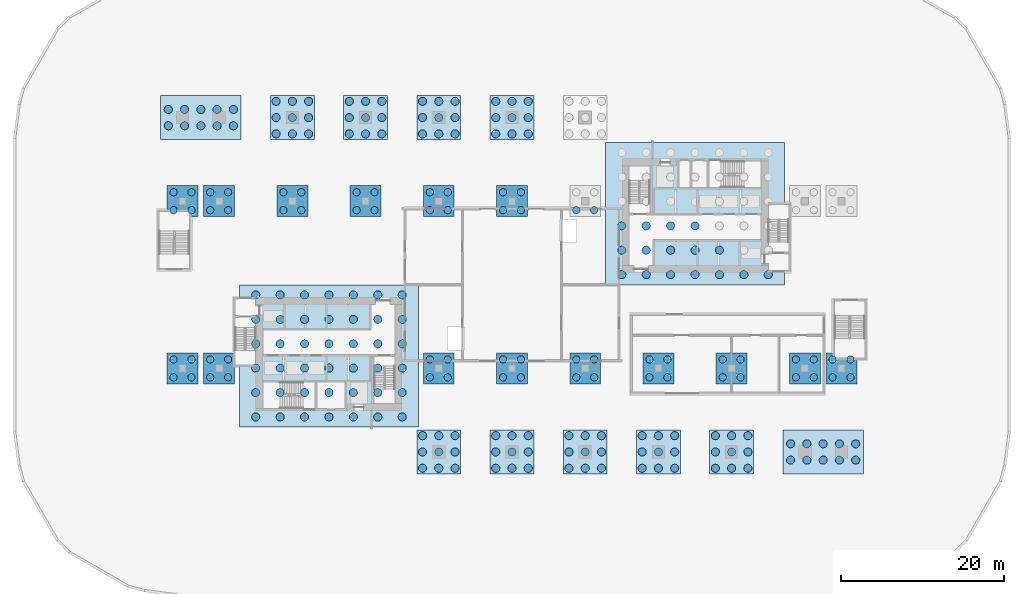
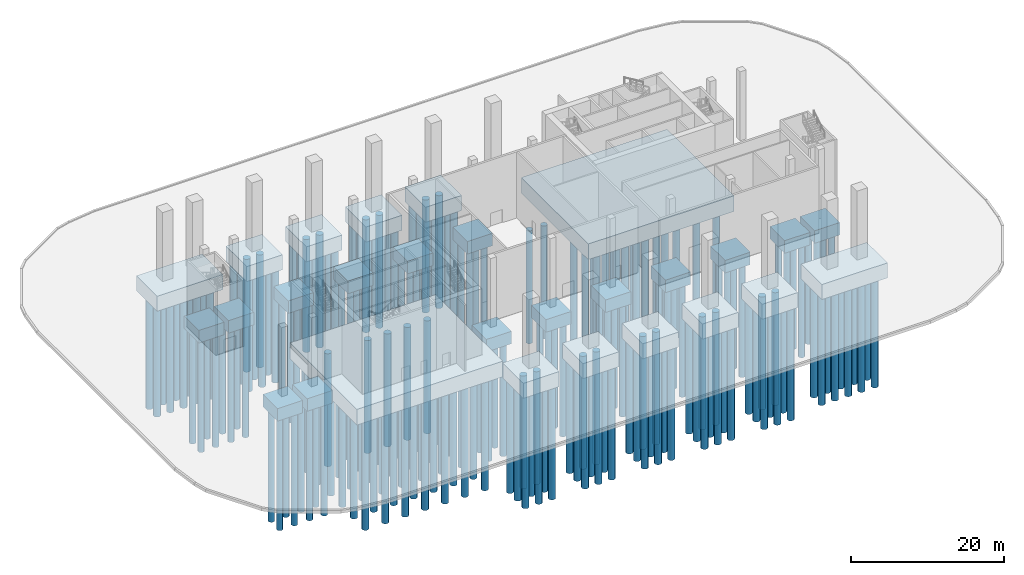
# One storey, part 1 of 26: 221 piles, 28 footings.
"""IFC4 building model written with IfcOpenShell, lengths in metres."""

from ifc_helpers import new_model, si_unit, direction, frame, origin, origin_2d, place, context, subcontext, project, spatial, rectangle, circle, extrude, material, layer, layer_set, material_profile, profile_set, type_object, element, save


model = new_model("IFC4")

# Units and contexts
model_context = context("Model", 3, precision=1e-05, world=origin(), true_north=direction((0.0, 1.0)))
body_context = subcontext(model_context, "Body", "Model", "MODEL_VIEW")
ifc_project = project(units=[si_unit("LENGTHUNIT", "METRE"), si_unit("AREAUNIT", "SQUARE_METRE"), si_unit("VOLUMEUNIT", "CUBIC_METRE"), si_unit("PLANEANGLEUNIT", "RADIAN"), si_unit("MASSUNIT", "GRAM", prefix="KILO")], contexts=[model_context])

# Site, building, storey
site_placement = place(None, origin())
site = spatial("IfcSite", under=ifc_project, at=site_placement, CompositionType="ELEMENT")
building_placement = place(site_placement, origin())
building = spatial("IfcBuilding", under=site, at=building_placement, Name="Kajstack Hotel Tower", CompositionType="ELEMENT")
storey_placement = place(building_placement, origin())
storey = spatial("IfcBuildingStorey", under=building, at=storey_placement, Name="L00", CompositionType="ELEMENT", Elevation=0.0)

# Piles
ifc_material_1 = material(Name="Concrete C35/45", Category="concrete")
ifc_material_profile_1 = material_profile(ifc_material_1, circle(Radius=0.5, at=origin_2d()), Name="RC round 1000")
ifc_profile_set_1 = profile_set([ifc_material_profile_1], Name="Concrete C35/45")
pile_type_1 = type_object("IfcPileType", Name="Bored pile 1000 C35/45", PredefinedType="BORED", material=ifc_profile_set_1)
for number, where, z_axis, x_axis, name in (
    (1, (13.5, 1.25, -2.89990234375), (0.0, 0.0, -1.0), (1.0, 0.0, 0.0), "S-pile-E-01"),
    (2, (13.5, 4.25, -2.89990234375), (0.0, 0.0, -1.0), (1.0, 0.0, 0.0), "S-pile-E-02"),
    (3, (13.5, 7.25, -2.89990234375), (0.0, 0.0, -1.0), (1.0, 0.0, 0.0), "S-pile-E-03"),
    (4, (16.5, 1.25, -2.89990234375), (0.0, 0.0, -1.0), (1.0, 0.0, 0.0), "S-pile-E-07"),
    (5, (16.5, 4.25, -2.89990234375), (0.0, 0.0, -1.0), (1.0, 0.0, 0.0), "S-pile-E-08"),
    (6, (16.5, 7.25, -2.89990234375), (0.0, 0.0, -1.0), (1.0, 0.0, 0.0), "S-pile-E-09"),
    (7, (19.5, 1.25, -2.89990234375), (0.0, 0.0, -1.0), (1.0, 0.0, 0.0), "S-pile-E-13"),
    (8, (19.5, 4.25, -2.89990234375), (0.0, 0.0, -1.0), (1.0, 0.0, 0.0), "S-pile-E-14"),
    (9, (19.5, 7.25, -2.89990234375), (0.0, 0.0, -1.0), (1.0, 0.0, 0.0), "S-pile-E-15"),
    (10, (22.5, 1.25, -2.89990234375), (0.0, 0.0, -1.0), (1.0, 0.0, 0.0), "S-pile-E-19"),
    (11, (22.5, 4.25, -2.89990234375), (0.0, 0.0, -1.0), (1.0, 0.0, 0.0), "S-pile-E-20"),
    (12, (22.5, 7.25, -2.89990234375), (0.0, 0.0, -1.0), (1.0, 0.0, 0.0), "S-pile-E-21"),
    (13, (25.5, 1.25, -2.89990234375), (0.0, 0.0, -1.0), (1.0, 0.0, 0.0), "S-pile-E-25"),
    (14, (25.5, 4.25, -2.89990234375), (0.0, 0.0, -1.0), (1.0, 0.0, 0.0), "S-pile-E-26"),
    (15, (28.5, 1.25, -2.89990234375), (0.0, 0.0, -1.0), (1.0, 0.0, 0.0), "S-pile-E-31"),
    (16, (31.5, 1.25, -2.89990234375), (0.0, 0.0, -1.0), (1.0, 0.0, 0.0), "S-pile-E-37"),
    (17, (-31.5, -16.25, -2.89990234375), (0.0, 0.0, -1.0), (1.0, 0.0, 0.0), "S-pile-W-01"),
    (18, (-31.5, -13.25, -2.89990234375), (0.0, 0.0, -1.0), (1.0, 0.0, 0.0), "S-pile-W-02"),
    (19, (-31.5, -10.25, -2.89990234375), (0.0, 0.0, -1.0), (1.0, 0.0, 0.0), "S-pile-W-03"),
    (20, (-31.5, -7.25, -2.89990234375), (0.0, 0.0, -1.0), (1.0, 0.0, 0.0), "S-pile-W-04"),
    (21, (-31.5, -4.25, -2.89990234375), (0.0, 0.0, -1.0), (1.0, 0.0, 0.0), "S-pile-W-05"),
    (22, (-31.5, -1.25, -2.89990234375), (0.0, 0.0, -1.0), (1.0, 0.0, 0.0), "S-pile-W-06"),
    (23, (-28.5, -16.25, -2.89990234375), (0.0, 0.0, -1.0), (1.0, 0.0, 0.0), "S-pile-W-07"),
    (24, (-28.5, -13.25, -2.89990234375), (0.0, 0.0, -1.0), (1.0, 0.0, 0.0), "S-pile-W-08"),
    (25, (-28.5, -10.25, -2.89990234375), (0.0, 0.0, -1.0), (1.0, 0.0, 0.0), "S-pile-W-09"),
    (26, (-28.5, -7.25, -2.89990234375), (0.0, 0.0, -1.0), (1.0, 0.0, 0.0), "S-pile-W-10"),
    (27, (-28.5, -4.25, -2.89990234375), (0.0, 0.0, -1.0), (1.0, 0.0, 0.0), "S-pile-W-11"),
    (28, (-28.5, -1.25, -2.89990234375), (0.0, 0.0, -1.0), (1.0, 0.0, 0.0), "S-pile-W-12"),
    (29, (-25.5, -16.25, -2.89990234375), (0.0, 0.0, -1.0), (1.0, 0.0, 0.0), "S-pile-W-13"),
    (30, (-25.5, -13.25, -2.89990234375), (0.0, 0.0, -1.0), (1.0, 0.0, 0.0), "S-pile-W-14"),
    (31, (-25.5, -10.25, -2.89990234375), (0.0, 0.0, -1.0), (1.0, 0.0, 0.0), "S-pile-W-15"),
    (32, (-25.5, -7.25, -2.89990234375), (0.0, 0.0, -1.0), (1.0, 0.0, 0.0), "S-pile-W-16"),
    (33, (-25.5, -4.25, -2.89990234375), (0.0, 0.0, -1.0), (1.0, 0.0, 0.0), "S-pile-W-17"),
    (34, (-25.5, -1.25, -2.89990234375), (0.0, 0.0, -1.0), (1.0, 0.0, 0.0), "S-pile-W-18"),
    (35, (-22.5, -16.25, -2.89990234375), (0.0, 0.0, -1.0), (1.0, 0.0, 0.0), "S-pile-W-19"),
    (36, (-22.5, -13.25, -2.89990234375), (0.0, 0.0, -1.0), (1.0, 0.0, 0.0), "S-pile-W-20"),
    (37, (-22.5, -10.25, -2.89990234375), (0.0, 0.0, -1.0), (1.0, 0.0, 0.0), "S-pile-W-21"),
    (38, (-22.5, -7.25, -2.89990234375), (0.0, 0.0, -1.0), (1.0, 0.0, 0.0), "S-pile-W-22"),
    (39, (-22.5, -4.25, -2.89990234375), (0.0, 0.0, -1.0), (1.0, 0.0, 0.0), "S-pile-W-23"),
    (40, (-22.5, -1.25, -2.89990234375), (0.0, 0.0, -1.0), (1.0, 0.0, 0.0), "S-pile-W-24"),
    (41, (-19.5, -16.25, -2.89990234375), (0.0, 0.0, -1.0), (1.0, 0.0, 0.0), "S-pile-W-25"),
    (42, (-19.5, -13.25, -2.89990234375), (0.0, 0.0, -1.0), (1.0, 0.0, 0.0), "S-pile-W-26"),
    (43, (-19.5, -10.25, -2.89990234375), (0.0, 0.0, -1.0), (1.0, 0.0, 0.0), "S-pile-W-27"),
    (44, (-19.5, -7.25, -2.89990234375), (0.0, 0.0, -1.0), (1.0, 0.0, 0.0), "S-pile-W-28"),
    (45, (-19.5, -4.25, -2.89990234375), (0.0, 0.0, -1.0), (1.0, 0.0, 0.0), "S-pile-W-29"),
    (46, (-19.5, -1.25, -2.89990234375), (0.0, 0.0, -1.0), (1.0, 0.0, 0.0), "S-pile-W-30"),
    (47, (-16.5, -16.25, -2.89990234375), (0.0, 0.0, -1.0), (1.0, 0.0, 0.0), "S-pile-W-31"),
    (48, (-16.5, -13.25, -2.89990234375), (0.0, 0.0, -1.0), (1.0, 0.0, 0.0), "S-pile-W-32"),
    (49, (-16.5, -10.25, -2.89990234375), (0.0, 0.0, -1.0), (1.0, 0.0, 0.0), "S-pile-W-33"),
    (50, (-16.5, -7.25, -2.89990234375), (0.0, 0.0, -1.0), (1.0, 0.0, 0.0), "S-pile-W-34"),
    (51, (-16.5, -4.25, -2.89990234375), (0.0, 0.0, -1.0), (1.0, 0.0, 0.0), "S-pile-W-35"),
    (52, (-16.5, -1.25, -2.89990234375), (0.0, 0.0, -1.0), (1.0, 0.0, 0.0), "S-pile-W-36"),
    (53, (-13.5, -16.25, -2.89990234375), (0.0, 0.0, -1.0), (1.0, 0.0, 0.0), "S-pile-W-37"),
    (54, (-13.5, -13.25, -2.89990234375), (0.0, 0.0, -1.0), (1.0, 0.0, 0.0), "S-pile-W-38"),
    (55, (-13.5, -10.25, -2.89990234375), (0.0, 0.0, -1.0), (1.0, 0.0, 0.0), "S-pile-W-39"),
    (56, (-13.5, -7.25, -2.89990234375), (0.0, 0.0, -1.0), (1.0, 0.0, 0.0), "S-pile-W-40"),
    (57, (-13.5, -4.25, -2.89990234375), (0.0, 0.0, -1.0), (1.0, 0.0, 0.0), "S-pile-W-41"),
    (58, (-13.5, -1.25, -2.89990234375), (0.0, 0.0, -1.0), (1.0, 0.0, 0.0), "S-pile-W-42"),
    (59, (-42.25, 19.550048828125, -2.800048828125), (0.0, 0.0, -1.0), (1.0, 0.0, 0.0), "S-pile-twin--38p25+20p6-01"),
    (60, (-42.25, 21.550048828125, -2.800048828125), (0.0, 0.0, -1.0), (1.0, 0.0, 0.0), "S-pile-twin--38p25+20p6-02"),
    (61, (-40.25, 19.550048828125, -2.800048828125), (0.0, 0.0, -1.0), (1.0, 0.0, 0.0), "S-pile-twin--38p25+20p6-03"),
    (62, (-40.25, 21.550048828125, -2.800048828125), (0.0, 0.0, -1.0), (1.0, 0.0, 0.0), "S-pile-twin--38p25+20p6-04"),
    (63, (-38.25, 19.550048828125, -2.800048828125), (0.0, 0.0, -1.0), (1.0, 0.0, 0.0), "S-pile-twin--38p25+20p6-05"),
    (64, (-38.25, 21.550048828125, -2.800048828125), (0.0, 0.0, -1.0), (1.0, 0.0, 0.0), "S-pile-twin--38p25+20p6-06"),
    (65, (-36.25, 19.550048828125, -2.800048828125), (0.0, 0.0, -1.0), (1.0, 0.0, 0.0), "S-pile-twin--38p25+20p6-07"),
    (66, (-36.25, 21.550048828125, -2.800048828125), (0.0, 0.0, -1.0), (1.0, 0.0, 0.0), "S-pile-twin--38p25+20p6-08"),
    (67, (-34.25, 19.550048828125, -2.800048828125), (0.0, 0.0, -1.0), (1.0, 0.0, 0.0), "S-pile-twin--38p25+20p6-09"),
    (68, (-34.25, 21.550048828125, -2.800048828125), (0.0, 0.0, -1.0), (1.0, 0.0, 0.0), "S-pile-twin--38p25+20p6-10"),
    (69, (34.25, -21.550048828125, -2.800048828125), (0.0, 0.0, -1.0), (1.0, 0.0, 0.0), "S-pile-twin-+38p25-20p6-01"),
    (70, (34.25, -19.550048828125, -2.800048828125), (0.0, 0.0, -1.0), (1.0, 0.0, 0.0), "S-pile-twin-+38p25-20p6-02"),
    (71, (36.25, -21.550048828125, -2.800048828125), (0.0, 0.0, -1.0), (1.0, 0.0, 0.0), "S-pile-twin-+38p25-20p6-03"),
    (72, (36.25, -19.550048828125, -2.800048828125), (0.0, 0.0, -1.0), (1.0, 0.0, 0.0), "S-pile-twin-+38p25-20p6-04"),
    (73, (38.25, -21.550048828125, -2.800048828125), (0.0, 0.0, -1.0), (1.0, 0.0, 0.0), "S-pile-twin-+38p25-20p6-05"),
    (74, (38.25, -19.550048828125, -2.800048828125), (0.0, 0.0, -1.0), (1.0, 0.0, 0.0), "S-pile-twin-+38p25-20p6-06"),
    (75, (40.25, -21.550048828125, -2.800048828125), (0.0, 0.0, -1.0), (1.0, 0.0, 0.0), "S-pile-twin-+38p25-20p6-07"),
    (76, (40.25, -19.550048828125, -2.800048828125), (0.0, 0.0, -1.0), (1.0, 0.0, 0.0), "S-pile-twin-+38p25-20p6-08"),
    (77, (42.25, -21.550048828125, -2.800048828125), (0.0, 0.0, -1.0), (1.0, 0.0, 0.0), "S-pile-twin-+38p25-20p6-09"),
    (78, (42.25, -19.550048828125, -2.800048828125), (0.0, 0.0, -1.0), (1.0, 0.0, 0.0), "S-pile-twin-+38p25-20p6-10"),
    (79, (-29.0, 18.550048828125, -2.800048828125), (0.0, 0.0, -1.0), (1.0, 0.0, 0.0), "S-pile-mega--27p0+20p6-1"),
    (80, (-29.0, 20.550048828125, -2.800048828125), (0.0, 0.0, -1.0), (1.0, 0.0, 0.0), "S-pile-mega--27p0+20p6-2"),
    (81, (-29.0, 22.550048828125, -2.800048828125), (0.0, 0.0, -1.0), (1.0, 0.0, 0.0), "S-pile-mega--27p0+20p6-3"),
    (82, (-27.0, 18.550048828125, -2.800048828125), (0.0, 0.0, -1.0), (1.0, 0.0, 0.0), "S-pile-mega--27p0+20p6-4"),
    (83, (-27.0, 20.550048828125, -2.800048828125), (0.0, 0.0, -1.0), (1.0, 0.0, 0.0), "S-pile-mega--27p0+20p6-5"),
    (84, (-27.0, 22.550048828125, -2.800048828125), (0.0, 0.0, -1.0), (1.0, 0.0, 0.0), "S-pile-mega--27p0+20p6-6"),
    (85, (-25.0, 18.550048828125, -2.800048828125), (0.0, 0.0, -1.0), (1.0, 0.0, 0.0), "S-pile-mega--27p0+20p6-7"),
    (86, (-25.0, 20.550048828125, -2.800048828125), (0.0, 0.0, -1.0), (1.0, 0.0, 0.0), "S-pile-mega--27p0+20p6-8"),
    (87, (-25.0, 22.550048828125, -2.800048828125), (0.0, 0.0, -1.0), (1.0, 0.0, 0.0), "S-pile-mega--27p0+20p6-9"),
    (88, (-20.0, 18.550048828125, -2.800048828125), (0.0, 0.0, -1.0), (1.0, 0.0, 0.0), "S-pile-mega--18p0+20p6-1"),
    (89, (-20.0, 20.550048828125, -2.800048828125), (0.0, 0.0, -1.0), (1.0, 0.0, 0.0), "S-pile-mega--18p0+20p6-2"),
    (90, (-20.0, 22.550048828125, -2.800048828125), (0.0, 0.0, -1.0), (1.0, 0.0, 0.0), "S-pile-mega--18p0+20p6-3"),
    (91, (-18.0, 18.550048828125, -2.800048828125), (0.0, 0.0, -1.0), (1.0, 0.0, 0.0), "S-pile-mega--18p0+20p6-4"),
    (92, (-18.0, 20.550048828125, -2.800048828125), (0.0, 0.0, -1.0), (1.0, 0.0, 0.0), "S-pile-mega--18p0+20p6-5"),
    (93, (-18.0, 22.550048828125, -2.800048828125), (0.0, 0.0, -1.0), (1.0, 0.0, 0.0), "S-pile-mega--18p0+20p6-6"),
    (94, (-16.0, 18.550048828125, -2.800048828125), (0.0, 0.0, -1.0), (1.0, 0.0, 0.0), "S-pile-mega--18p0+20p6-7"),
    (95, (-16.0, 20.550048828125, -2.800048828125), (0.0, 0.0, -1.0), (1.0, 0.0, 0.0), "S-pile-mega--18p0+20p6-8"),
    (96, (-16.0, 22.550048828125, -2.800048828125), (0.0, 0.0, -1.0), (1.0, 0.0, 0.0), "S-pile-mega--18p0+20p6-9"),
    (97, (-11.0, -22.550048828125, -2.800048828125), (0.0, 0.0, -1.0), (1.0, 0.0, 0.0), "S-pile-mega--9p0-20p6-1"),
    (98, (-11.0, -20.550048828125, -2.800048828125), (0.0, 0.0, -1.0), (1.0, 0.0, 0.0), "S-pile-mega--9p0-20p6-2"),
    (99, (-11.0, -18.550048828125, -2.800048828125), (0.0, 0.0, -1.0), (1.0, 0.0, 0.0), "S-pile-mega--9p0-20p6-3"),
    (100, (-9.0, -22.550048828125, -2.800048828125), (0.0, 0.0, -1.0), (1.0, 0.0, 0.0), "S-pile-mega--9p0-20p6-4"),
    (101, (-9.0, -20.550048828125, -2.800048828125), (0.0, 0.0, -1.0), (1.0, 0.0, 0.0), "S-pile-mega--9p0-20p6-5"),
    (102, (-9.0, -18.550048828125, -2.800048828125), (0.0, 0.0, -1.0), (1.0, 0.0, 0.0), "S-pile-mega--9p0-20p6-6"),
    (103, (-7.0, -22.550048828125, -2.800048828125), (0.0, 0.0, -1.0), (1.0, 0.0, 0.0), "S-pile-mega--9p0-20p6-7"),
    (104, (-7.0, -20.550048828125, -2.800048828125), (0.0, 0.0, -1.0), (1.0, 0.0, 0.0), "S-pile-mega--9p0-20p6-8"),
    (105, (-7.0, -18.550048828125, -2.800048828125), (0.0, 0.0, -1.0), (1.0, 0.0, 0.0), "S-pile-mega--9p0-20p6-9"),
    (106, (-11.0, 18.550048828125, -2.800048828125), (0.0, 0.0, -1.0), (1.0, 0.0, 0.0), "S-pile-mega--9p0+20p6-1"),
    (107, (-11.0, 20.550048828125, -2.800048828125), (0.0, 0.0, -1.0), (1.0, 0.0, 0.0), "S-pile-mega--9p0+20p6-2"),
    (108, (-11.0, 22.550048828125, -2.800048828125), (0.0, 0.0, -1.0), (1.0, 0.0, 0.0), "S-pile-mega--9p0+20p6-3"),
    (109, (-9.0, 18.550048828125, -2.800048828125), (0.0, 0.0, -1.0), (1.0, 0.0, 0.0), "S-pile-mega--9p0+20p6-4"),
    (110, (-9.0, 20.550048828125, -2.800048828125), (0.0, 0.0, -1.0), (1.0, 0.0, 0.0), "S-pile-mega--9p0+20p6-5"),
    (111, (-9.0, 22.550048828125, -2.800048828125), (0.0, 0.0, -1.0), (1.0, 0.0, 0.0), "S-pile-mega--9p0+20p6-6"),
    (112, (-7.0, 18.550048828125, -2.800048828125), (0.0, 0.0, -1.0), (1.0, 0.0, 0.0), "S-pile-mega--9p0+20p6-7"),
    (113, (-7.0, 20.550048828125, -2.800048828125), (0.0, 0.0, -1.0), (1.0, 0.0, 0.0), "S-pile-mega--9p0+20p6-8"),
    (114, (-7.0, 22.550048828125, -2.800048828125), (0.0, 0.0, -1.0), (1.0, 0.0, 0.0), "S-pile-mega--9p0+20p6-9"),
    (115, (-2.0, -22.550048828125, -2.800048828125), (0.0, 0.0, -1.0), (1.0, 0.0, 0.0), "S-pile-mega-+0p0-20p6-1"),
    (116, (-2.0, -20.550048828125, -2.800048828125), (0.0, 0.0, -1.0), (1.0, 0.0, 0.0), "S-pile-mega-+0p0-20p6-2"),
    (117, (-2.0, -18.550048828125, -2.800048828125), (0.0, 0.0, -1.0), (1.0, 0.0, 0.0), "S-pile-mega-+0p0-20p6-3"),
    (118, (0.0, -22.550048828125, -2.800048828125), (0.0, 0.0, -1.0), (1.0, 0.0, 0.0), "S-pile-mega-+0p0-20p6-4"),
    (119, (0.0, -20.550048828125, -2.800048828125), (0.0, 0.0, -1.0), (1.0, 0.0, 0.0), "S-pile-mega-+0p0-20p6-5"),
    (120, (0.0, -18.550048828125, -2.800048828125), (0.0, 0.0, -1.0), (1.0, 0.0, 0.0), "S-pile-mega-+0p0-20p6-6"),
    (121, (2.0, -22.550048828125, -2.800048828125), (0.0, 0.0, -1.0), (1.0, 0.0, 0.0), "S-pile-mega-+0p0-20p6-7"),
    (122, (2.0, -20.550048828125, -2.800048828125), (0.0, 0.0, -1.0), (1.0, 0.0, 0.0), "S-pile-mega-+0p0-20p6-8"),
    (123, (2.0, -18.550048828125, -2.800048828125), (0.0, 0.0, -1.0), (1.0, 0.0, 0.0), "S-pile-mega-+0p0-20p6-9"),
    (124, (-2.0, 18.550048828125, -2.800048828125), (0.0, 0.0, -1.0), (1.0, 0.0, 0.0), "S-pile-mega-+0p0+20p6-1"),
    (125, (-2.0, 20.550048828125, -2.800048828125), (0.0, 0.0, -1.0), (1.0, 0.0, 0.0), "S-pile-mega-+0p0+20p6-2"),
    (126, (-2.0, 22.550048828125, -2.800048828125), (0.0, 0.0, -1.0), (1.0, 0.0, 0.0), "S-pile-mega-+0p0+20p6-3"),
    (127, (0.0, 18.550048828125, -2.800048828125), (0.0, 0.0, -1.0), (1.0, 0.0, 0.0), "S-pile-mega-+0p0+20p6-4"),
    (128, (0.0, 20.550048828125, -2.800048828125), (0.0, 0.0, -1.0), (1.0, 0.0, 0.0), "S-pile-mega-+0p0+20p6-5"),
    (129, (0.0, 22.550048828125, -2.800048828125), (0.0, 0.0, -1.0), (1.0, 0.0, 0.0), "S-pile-mega-+0p0+20p6-6"),
    (130, (2.0, 18.550048828125, -2.800048828125), (0.0, 0.0, -1.0), (1.0, 0.0, 0.0), "S-pile-mega-+0p0+20p6-7"),
    (131, (2.0, 20.550048828125, -2.800048828125), (0.0, 0.0, -1.0), (1.0, 0.0, 0.0), "S-pile-mega-+0p0+20p6-8"),
    (132, (2.0, 22.550048828125, -2.800048828125), (0.0, 0.0, -1.0), (1.0, 0.0, 0.0), "S-pile-mega-+0p0+20p6-9"),
    (133, (7.0, -22.550048828125, -2.800048828125), (0.0, 0.0, -1.0), (1.0, 0.0, 0.0), "S-pile-mega-+9p0-20p6-1"),
    (134, (7.0, -20.550048828125, -2.800048828125), (0.0, 0.0, -1.0), (1.0, 0.0, 0.0), "S-pile-mega-+9p0-20p6-2"),
    (135, (7.0, -18.550048828125, -2.800048828125), (0.0, 0.0, -1.0), (1.0, 0.0, 0.0), "S-pile-mega-+9p0-20p6-3"),
    (136, (9.0, -22.550048828125, -2.800048828125), (0.0, 0.0, -1.0), (1.0, 0.0, 0.0), "S-pile-mega-+9p0-20p6-4"),
    (137, (9.0, -20.550048828125, -2.800048828125), (0.0, 0.0, -1.0), (1.0, 0.0, 0.0), "S-pile-mega-+9p0-20p6-5"),
    (138, (9.0, -18.550048828125, -2.800048828125), (0.0, 0.0, -1.0), (1.0, 0.0, 0.0), "S-pile-mega-+9p0-20p6-6"),
    (139, (11.0, -22.550048828125, -2.800048828125), (0.0, 0.0, -1.0), (1.0, 0.0, 0.0), "S-pile-mega-+9p0-20p6-7"),
    (140, (11.0, -20.550048828125, -2.800048828125), (0.0, 0.0, -1.0), (1.0, 0.0, 0.0), "S-pile-mega-+9p0-20p6-8"),
    (141, (11.0, -18.550048828125, -2.800048828125), (0.0, 0.0, -1.0), (1.0, 0.0, 0.0), "S-pile-mega-+9p0-20p6-9"),
    (142, (16.0, -22.550048828125, -2.800048828125), (0.0, 0.0, -1.0), (1.0, 0.0, 0.0), "S-pile-mega-+18p0-20p6-1"),
    (143, (16.0, -20.550048828125, -2.800048828125), (0.0, 0.0, -1.0), (1.0, 0.0, 0.0), "S-pile-mega-+18p0-20p6-2"),
    (144, (16.0, -18.550048828125, -2.800048828125), (0.0, 0.0, -1.0), (1.0, 0.0, 0.0), "S-pile-mega-+18p0-20p6-3"),
    (145, (18.0, -22.550048828125, -2.800048828125), (0.0, 0.0, -1.0), (1.0, 0.0, 0.0), "S-pile-mega-+18p0-20p6-4"),
    (146, (18.0, -20.550048828125, -2.800048828125), (0.0, 0.0, -1.0), (1.0, 0.0, 0.0), "S-pile-mega-+18p0-20p6-5"),
    (147, (18.0, -18.550048828125, -2.800048828125), (0.0, 0.0, -1.0), (1.0, 0.0, 0.0), "S-pile-mega-+18p0-20p6-6"),
    (148, (20.0, -22.550048828125, -2.800048828125), (0.0, 0.0, -1.0), (1.0, 0.0, 0.0), "S-pile-mega-+18p0-20p6-7"),
    (149, (20.0, -20.550048828125, -2.800048828125), (0.0, 0.0, -1.0), (1.0, 0.0, 0.0), "S-pile-mega-+18p0-20p6-8"),
    (150, (20.0, -18.550048828125, -2.800048828125), (0.0, 0.0, -1.0), (1.0, 0.0, 0.0), "S-pile-mega-+18p0-20p6-9"),
    (151, (25.0, -22.550048828125, -2.800048828125), (0.0, 0.0, -1.0), (1.0, 0.0, 0.0), "S-pile-mega-+27p0-20p6-1"),
    (152, (25.0, -20.550048828125, -2.800048828125), (0.0, 0.0, -1.0), (1.0, 0.0, 0.0), "S-pile-mega-+27p0-20p6-2"),
    (153, (25.0, -18.550048828125, -2.800048828125), (0.0, 0.0, -1.0), (1.0, 0.0, 0.0), "S-pile-mega-+27p0-20p6-3"),
    (154, (27.0, -22.550048828125, -2.800048828125), (0.0, 0.0, -1.0), (1.0, 0.0, 0.0), "S-pile-mega-+27p0-20p6-4"),
    (155, (27.0, -20.550048828125, -2.800048828125), (0.0, 0.0, -1.0), (1.0, 0.0, 0.0), "S-pile-mega-+27p0-20p6-5"),
    (156, (27.0, -18.550048828125, -2.800048828125), (0.0, 0.0, -1.0), (1.0, 0.0, 0.0), "S-pile-mega-+27p0-20p6-6"),
    (157, (29.0, -22.550048828125, -2.800048828125), (0.0, 0.0, -1.0), (1.0, 0.0, 0.0), "S-pile-mega-+27p0-20p6-7"),
    (158, (29.0, -20.550048828125, -2.800048828125), (0.0, 0.0, -1.0), (1.0, 0.0, 0.0), "S-pile-mega-+27p0-20p6-8"),
    (159, (29.0, -18.550048828125, -2.800048828125), (0.0, 0.0, -1.0), (1.0, 0.0, 0.0), "S-pile-mega-+27p0-20p6-9"),
):
    element("IfcPile", number, at=place(storey_placement, frame(where, z_axis=z_axis, x_axis=x_axis)), inside=storey, type_object=pile_type_1, Name=name, PredefinedType="BORED", context=body_context, shape_type="SweptSolid", body=[
        extrude(circle(Radius=0.5, at=origin_2d()), origin(), (0.0, 0.0, 1.0), 18.0),
    ])
ifc_material_profile_2 = material_profile(ifc_material_1, circle(Radius=0.449951171875, at=origin_2d()), Name="RC round 900")
ifc_profile_set_2 = profile_set([ifc_material_profile_2], Name="Concrete C35/45")
pile_type_2 = type_object("IfcPileType", Name="Bored pile 900 C35/45", PredefinedType="BORED", material=ifc_profile_set_2)
for number, where, z_axis, x_axis, name in (
    (160, (-41.60009765625, -11.375, -2.39990234375), (0.0, 0.0, -1.0), (1.0, 0.0, 0.0), "S-pile-interior--40p5-10p3-1"),
    (161, (-39.39990234375, -11.375, -2.39990234375), (0.0, 0.0, -1.0), (1.0, 0.0, 0.0), "S-pile-interior--40p5-10p3-2"),
    (162, (-41.60009765625, -9.175048828125, -2.39990234375), (0.0, 0.0, -1.0), (1.0, 0.0, 0.0), "S-pile-interior--40p5-10p3-3"),
    (163, (-39.39990234375, -9.175048828125, -2.39990234375), (0.0, 0.0, -1.0), (1.0, 0.0, 0.0), "S-pile-interior--40p5-10p3-4"),
    (164, (-41.60009765625, 9.175048828125, -2.39990234375), (0.0, 0.0, -1.0), (1.0, 0.0, 0.0), "S-pile-interior--40p5+10p3-1"),
    (165, (-39.39990234375, 9.175048828125, -2.39990234375), (0.0, 0.0, -1.0), (1.0, 0.0, 0.0), "S-pile-interior--40p5+10p3-2"),
    (166, (-41.60009765625, 11.375, -2.39990234375), (0.0, 0.0, -1.0), (1.0, 0.0, 0.0), "S-pile-interior--40p5+10p3-3"),
    (167, (-39.39990234375, 11.375, -2.39990234375), (0.0, 0.0, -1.0), (1.0, 0.0, 0.0), "S-pile-interior--40p5+10p3-4"),
    (168, (-37.10009765625, -11.375, -2.39990234375), (0.0, 0.0, -1.0), (1.0, 0.0, 0.0), "S-pile-interior--36p0-10p3-1"),
    (169, (-34.89990234375, -11.375, -2.39990234375), (0.0, 0.0, -1.0), (1.0, 0.0, 0.0), "S-pile-interior--36p0-10p3-2"),
    (170, (-37.10009765625, -9.175048828125, -2.39990234375), (0.0, 0.0, -1.0), (1.0, 0.0, 0.0), "S-pile-interior--36p0-10p3-3"),
    (171, (-34.89990234375, -9.175048828125, -2.39990234375), (0.0, 0.0, -1.0), (1.0, 0.0, 0.0), "S-pile-interior--36p0-10p3-4"),
    (172, (-37.10009765625, 9.175048828125, -2.39990234375), (0.0, 0.0, -1.0), (1.0, 0.0, 0.0), "S-pile-interior--36p0+10p3-1"),
    (173, (-34.89990234375, 9.175048828125, -2.39990234375), (0.0, 0.0, -1.0), (1.0, 0.0, 0.0), "S-pile-interior--36p0+10p3-2"),
    (174, (-37.10009765625, 11.375, -2.39990234375), (0.0, 0.0, -1.0), (1.0, 0.0, 0.0), "S-pile-interior--36p0+10p3-3"),
    (175, (-34.89990234375, 11.375, -2.39990234375), (0.0, 0.0, -1.0), (1.0, 0.0, 0.0), "S-pile-interior--36p0+10p3-4"),
    (176, (-28.10009765625, 9.175048828125, -2.39990234375), (0.0, 0.0, -1.0), (1.0, 0.0, 0.0), "S-pile-interior--27p0+10p3-1"),
    (177, (-25.89990234375, 9.175048828125, -2.39990234375), (0.0, 0.0, -1.0), (1.0, 0.0, 0.0), "S-pile-interior--27p0+10p3-2"),
    (178, (-28.10009765625, 11.375, -2.39990234375), (0.0, 0.0, -1.0), (1.0, 0.0, 0.0), "S-pile-interior--27p0+10p3-3"),
    (179, (-25.89990234375, 11.375, -2.39990234375), (0.0, 0.0, -1.0), (1.0, 0.0, 0.0), "S-pile-interior--27p0+10p3-4"),
    (180, (-19.10009765625, 9.175048828125, -2.39990234375), (0.0, 0.0, -1.0), (1.0, 0.0, 0.0), "S-pile-interior--18p0+10p3-1"),
    (181, (-16.89990234375, 9.175048828125, -2.39990234375), (0.0, 0.0, -1.0), (1.0, 0.0, 0.0), "S-pile-interior--18p0+10p3-2"),
    (182, (-19.10009765625, 11.375, -2.39990234375), (0.0, 0.0, -1.0), (1.0, 0.0, 0.0), "S-pile-interior--18p0+10p3-3"),
    (183, (-16.89990234375, 11.375, -2.39990234375), (0.0, 0.0, -1.0), (1.0, 0.0, 0.0), "S-pile-interior--18p0+10p3-4"),
    (184, (-10.10009765625, -11.375, -2.39990234375), (0.0, 0.0, -1.0), (1.0, 0.0, 0.0), "S-pile-interior--9p0-10p3-1"),
    (185, (-7.89990234375, -11.375, -2.39990234375), (0.0, 0.0, -1.0), (1.0, 0.0, 0.0), "S-pile-interior--9p0-10p3-2"),
    (186, (-10.10009765625, -9.175048828125, -2.39990234375), (0.0, 0.0, -1.0), (1.0, 0.0, 0.0), "S-pile-interior--9p0-10p3-3"),
    (187, (-7.89990234375, -9.175048828125, -2.39990234375), (0.0, 0.0, -1.0), (1.0, 0.0, 0.0), "S-pile-interior--9p0-10p3-4"),
    (188, (-10.10009765625, 9.175048828125, -2.39990234375), (0.0, 0.0, -1.0), (1.0, 0.0, 0.0), "S-pile-interior--9p0+10p3-1"),
    (189, (-7.89990234375, 9.175048828125, -2.39990234375), (0.0, 0.0, -1.0), (1.0, 0.0, 0.0), "S-pile-interior--9p0+10p3-2"),
    (190, (-10.10009765625, 11.375, -2.39990234375), (0.0, 0.0, -1.0), (1.0, 0.0, 0.0), "S-pile-interior--9p0+10p3-3"),
    (191, (-7.89990234375, 11.375, -2.39990234375), (0.0, 0.0, -1.0), (1.0, 0.0, 0.0), "S-pile-interior--9p0+10p3-4"),
    (192, (-1.10009765625, -11.375, -2.39990234375), (0.0, 0.0, -1.0), (1.0, 0.0, 0.0), "S-pile-interior-+0p0-10p3-1"),
    (193, (1.10009765625, -11.375, -2.39990234375), (0.0, 0.0, -1.0), (1.0, 0.0, 0.0), "S-pile-interior-+0p0-10p3-2"),
    (194, (-1.10009765625, -9.175048828125, -2.39990234375), (0.0, 0.0, -1.0), (1.0, 0.0, 0.0), "S-pile-interior-+0p0-10p3-3"),
    (195, (1.10009765625, -9.175048828125, -2.39990234375), (0.0, 0.0, -1.0), (1.0, 0.0, 0.0), "S-pile-interior-+0p0-10p3-4"),
    (196, (-1.10009765625, 9.175048828125, -2.39990234375), (0.0, 0.0, -1.0), (1.0, 0.0, 0.0), "S-pile-interior-+0p0+10p3-1"),
    (197, (1.10009765625, 9.175048828125, -2.39990234375), (0.0, 0.0, -1.0), (1.0, 0.0, 0.0), "S-pile-interior-+0p0+10p3-2"),
    (198, (-1.10009765625, 11.375, -2.39990234375), (0.0, 0.0, -1.0), (1.0, 0.0, 0.0), "S-pile-interior-+0p0+10p3-3"),
    (199, (1.10009765625, 11.375, -2.39990234375), (0.0, 0.0, -1.0), (1.0, 0.0, 0.0), "S-pile-interior-+0p0+10p3-4"),
    (200, (7.89990234375, -11.375, -2.39990234375), (0.0, 0.0, -1.0), (1.0, 0.0, 0.0), "S-pile-interior-+9p0-10p3-1"),
    (201, (10.10009765625, -11.375, -2.39990234375), (0.0, 0.0, -1.0), (1.0, 0.0, 0.0), "S-pile-interior-+9p0-10p3-2"),
    (202, (7.89990234375, -9.175048828125, -2.39990234375), (0.0, 0.0, -1.0), (1.0, 0.0, 0.0), "S-pile-interior-+9p0-10p3-3"),
    (203, (10.10009765625, -9.175048828125, -2.39990234375), (0.0, 0.0, -1.0), (1.0, 0.0, 0.0), "S-pile-interior-+9p0-10p3-4"),
    (204, (7.89990234375, 9.175048828125, -2.39990234375), (0.0, 0.0, -1.0), (1.0, 0.0, 0.0), "S-pile-interior-+9p0+10p3-1"),
    (205, (10.10009765625, 9.175048828125, -2.39990234375), (0.0, 0.0, -1.0), (1.0, 0.0, 0.0), "S-pile-interior-+9p0+10p3-2"),
    (206, (16.89990234375, -11.375, -2.39990234375), (0.0, 0.0, -1.0), (1.0, 0.0, 0.0), "S-pile-interior-+18p0-10p3-1"),
    (207, (19.10009765625, -11.375, -2.39990234375), (0.0, 0.0, -1.0), (1.0, 0.0, 0.0), "S-pile-interior-+18p0-10p3-2"),
    (208, (16.89990234375, -9.175048828125, -2.39990234375), (0.0, 0.0, -1.0), (1.0, 0.0, 0.0), "S-pile-interior-+18p0-10p3-3"),
    (209, (19.10009765625, -9.175048828125, -2.39990234375), (0.0, 0.0, -1.0), (1.0, 0.0, 0.0), "S-pile-interior-+18p0-10p3-4"),
    (210, (25.89990234375, -11.375, -2.39990234375), (0.0, 0.0, -1.0), (1.0, 0.0, 0.0), "S-pile-interior-+27p0-10p3-1"),
    (211, (28.10009765625, -11.375, -2.39990234375), (0.0, 0.0, -1.0), (1.0, 0.0, 0.0), "S-pile-interior-+27p0-10p3-2"),
    (212, (25.89990234375, -9.175048828125, -2.39990234375), (0.0, 0.0, -1.0), (1.0, 0.0, 0.0), "S-pile-interior-+27p0-10p3-3"),
    (213, (28.10009765625, -9.175048828125, -2.39990234375), (0.0, 0.0, -1.0), (1.0, 0.0, 0.0), "S-pile-interior-+27p0-10p3-4"),
    (214, (34.89990234375, -11.375, -2.39990234375), (0.0, 0.0, -1.0), (1.0, 0.0, 0.0), "S-pile-interior-+36p0-10p3-1"),
    (215, (37.10009765625, -11.375, -2.39990234375), (0.0, 0.0, -1.0), (1.0, 0.0, 0.0), "S-pile-interior-+36p0-10p3-2"),
    (216, (34.89990234375, -9.175048828125, -2.39990234375), (0.0, 0.0, -1.0), (1.0, 0.0, 0.0), "S-pile-interior-+36p0-10p3-3"),
    (217, (37.10009765625, -9.175048828125, -2.39990234375), (0.0, 0.0, -1.0), (1.0, 0.0, 0.0), "S-pile-interior-+36p0-10p3-4"),
    (218, (39.39990234375, -11.375, -2.39990234375), (0.0, 0.0, -1.0), (1.0, 0.0, 0.0), "S-pile-interior-+40p5-10p3-1"),
    (219, (41.60009765625, -11.375, -2.39990234375), (0.0, 0.0, -1.0), (1.0, 0.0, 0.0), "S-pile-interior-+40p5-10p3-2"),
    (220, (39.39990234375, -9.175048828125, -2.39990234375), (0.0, 0.0, -1.0), (1.0, 0.0, 0.0), "S-pile-interior-+40p5-10p3-3"),
    (221, (41.60009765625, -9.175048828125, -2.39990234375), (0.0, 0.0, -1.0), (1.0, 0.0, 0.0), "S-pile-interior-+40p5-10p3-4"),
):
    element("IfcPile", number, at=place(storey_placement, frame(where, z_axis=z_axis, x_axis=x_axis)), inside=storey, type_object=pile_type_2, Name=name, PredefinedType="BORED", context=body_context, shape_type="SweptSolid", body=[
        extrude(circle(Radius=0.449951171875, at=origin_2d()), origin(), (0.0, 0.0, 1.0), 18.0),
    ])

# Footings
ifc_material_2 = material(Name="Concrete C40/50", Category="concrete")
ifc_layer_1 = layer(ifc_material_2, 2.0)
ifc_layer_set_1 = layer_set([ifc_layer_1], Name="Column cap 3800 C40/50")
footing_type_1 = type_object("IfcFootingType", Name="Column cap 3800 C40/50", PredefinedType="PILE_CAP", material=ifc_layer_set_1)
for number, where, z_axis, x_axis, name in (
    (222, (-40.5, -10.27490234375, -2.5), (0.0, 0.0, 1.0), (1.0, 0.0, 0.0), "S-cap-interior--40p5-10p3"),
    (223, (-40.5, 10.27490234375, -2.5), (0.0, 0.0, 1.0), (1.0, 0.0, 0.0), "S-cap-interior--40p5+10p3"),
    (224, (-36.0, -10.27490234375, -2.5), (0.0, 0.0, 1.0), (1.0, 0.0, 0.0), "S-cap-interior--36p0-10p3"),
    (225, (-36.0, 10.27490234375, -2.5), (0.0, 0.0, 1.0), (1.0, 0.0, 0.0), "S-cap-interior--36p0+10p3"),
    (226, (-27.0, 10.27490234375, -2.5), (0.0, 0.0, 1.0), (1.0, 0.0, 0.0), "S-cap-interior--27p0+10p3"),
    (227, (-18.0, 10.27490234375, -2.5), (0.0, 0.0, 1.0), (1.0, 0.0, 0.0), "S-cap-interior--18p0+10p3"),
    (228, (-9.0, -10.27490234375, -2.5), (0.0, 0.0, 1.0), (1.0, 0.0, 0.0), "S-cap-interior--9p0-10p3"),
    (229, (-9.0, 10.27490234375, -2.5), (0.0, 0.0, 1.0), (1.0, 0.0, 0.0), "S-cap-interior--9p0+10p3"),
    (230, (0.0, -10.27490234375, -2.5), (0.0, 0.0, 1.0), (1.0, 0.0, 0.0), "S-cap-interior-+0p0-10p3"),
    (231, (0.0, 10.27490234375, -2.5), (0.0, 0.0, 1.0), (1.0, 0.0, 0.0), "S-cap-interior-+0p0+10p3"),
    (232, (9.0, -10.27490234375, -2.5), (0.0, 0.0, 1.0), (1.0, 0.0, 0.0), "S-cap-interior-+9p0-10p3"),
    (233, (18.0, -10.27490234375, -2.5), (0.0, 0.0, 1.0), (1.0, 0.0, 0.0), "S-cap-interior-+18p0-10p3"),
    (234, (27.0, -10.27490234375, -2.5), (0.0, 0.0, 1.0), (1.0, 0.0, 0.0), "S-cap-interior-+27p0-10p3"),
    (235, (36.0, -10.27490234375, -2.5), (0.0, 0.0, 1.0), (1.0, 0.0, 0.0), "S-cap-interior-+36p0-10p3"),
    (236, (40.5, -10.27490234375, -2.5), (0.0, 0.0, 1.0), (1.0, 0.0, 0.0), "S-cap-interior-+40p5-10p3"),
):
    element("IfcFooting", number, at=place(storey_placement, frame(where, z_axis=z_axis, x_axis=x_axis)), inside=storey, type_object=footing_type_1, Name=name, PredefinedType="PILE_CAP", context=body_context, shape_type="SweptSolid", body=[
        extrude(rectangle(XDim=3.800048828125, YDim=3.800048828125, at=origin_2d()), origin(), (0.0, 0.0, 1.0), 2.0),
    ])
ifc_layer_2 = layer(ifc_material_2, 2.5)
ifc_layer_set_2 = layer_set([ifc_layer_2], Name="Core raft 2500 C40/50")
footing_type_2 = type_object("IfcFootingType", Name="Core raft 2500 C40/50", PredefinedType="PILE_CAP", material=ifc_layer_set_2)
for number, where, z_axis, x_axis, name in (
    (237, (22.5, 8.75, -3.0), (0.0, 0.0, 1.0), (1.0, 0.0, 0.0), "S-raft-E"),
    (238, (-22.5, -8.75, -3.0), (0.0, 0.0, 1.0), (1.0, 0.0, 0.0), "S-raft-W"),
):
    element("IfcFooting", number, at=place(storey_placement, frame(where, z_axis=z_axis, x_axis=x_axis)), inside=storey, type_object=footing_type_2, Name=name, PredefinedType="PILE_CAP", context=body_context, shape_type="SweptSolid", body=[
        extrude(rectangle(XDim=22.0, YDim=17.5, at=origin_2d()), origin(), (0.0, 0.0, 1.0), 2.5),
    ])
ifc_layer_3 = layer(ifc_material_2, 2.39990234375)
ifc_layer_set_3 = layer_set([ifc_layer_3], Name="Mega-column cap 5400 C40/50")
footing_type_3 = type_object("IfcFootingType", Name="Mega-column cap 5400 C40/50", PredefinedType="PILE_CAP", material=ifc_layer_set_3)
for number, where, z_axis, x_axis, name in (
    (239, (-27.0, 20.550048828125, -2.89990234375), (0.0, 0.0, 1.0), (1.0, 0.0, 0.0), "S-cap-mega--27p0+20p6"),
    (240, (-18.0, 20.550048828125, -2.89990234375), (0.0, 0.0, 1.0), (1.0, 0.0, 0.0), "S-cap-mega--18p0+20p6"),
    (241, (-9.0, -20.550048828125, -2.89990234375), (0.0, 0.0, 1.0), (1.0, 0.0, 0.0), "S-cap-mega--9p0-20p6"),
    (242, (-9.0, 20.550048828125, -2.89990234375), (0.0, 0.0, 1.0), (1.0, 0.0, 0.0), "S-cap-mega--9p0+20p6"),
    (243, (0.0, -20.550048828125, -2.89990234375), (0.0, 0.0, 1.0), (1.0, 0.0, 0.0), "S-cap-mega-+0p0-20p6"),
    (244, (0.0, 20.550048828125, -2.89990234375), (0.0, 0.0, 1.0), (1.0, 0.0, 0.0), "S-cap-mega-+0p0+20p6"),
    (245, (9.0, -20.550048828125, -2.89990234375), (0.0, 0.0, 1.0), (1.0, 0.0, 0.0), "S-cap-mega-+9p0-20p6"),
    (246, (18.0, -20.550048828125, -2.89990234375), (0.0, 0.0, 1.0), (1.0, 0.0, 0.0), "S-cap-mega-+18p0-20p6"),
    (247, (27.0, -20.550048828125, -2.89990234375), (0.0, 0.0, 1.0), (1.0, 0.0, 0.0), "S-cap-mega-+27p0-20p6"),
):
    element("IfcFooting", number, at=place(storey_placement, frame(where, z_axis=z_axis, x_axis=x_axis)), inside=storey, type_object=footing_type_3, Name=name, PredefinedType="PILE_CAP", context=body_context, shape_type="SweptSolid", body=[
        extrude(rectangle(XDim=5.39990234375, YDim=5.39990234375, at=origin_2d()), origin(), (0.0, 0.0, 1.0), 2.39990234375),
    ])
ifc_layer_4 = layer(ifc_material_2, 2.39990234375)
ifc_layer_set_4 = layer_set([ifc_layer_4], Name="Twin mega-column cap 2400 C40/50")
footing_type_4 = type_object("IfcFootingType", Name="Twin mega-column cap 2400 C40/50", PredefinedType="PILE_CAP", material=ifc_layer_set_4)
for number, where, z_axis, x_axis, name in (
    (248, (-38.25, 20.550048828125, -2.89990234375), (0.0, 0.0, 1.0), (1.0, 0.0, 0.0), "S-cap-twin--38p25+20p6"),
    (249, (38.25, -20.550048828125, -2.89990234375), (0.0, 0.0, 1.0), (1.0, 0.0, 0.0), "S-cap-twin-+38p25-20p6"),
):
    element("IfcFooting", number, at=place(storey_placement, frame(where, z_axis=z_axis, x_axis=x_axis)), inside=storey, type_object=footing_type_4, Name=name, PredefinedType="PILE_CAP", context=body_context, shape_type="SweptSolid", body=[
        extrude(rectangle(XDim=9.89990234375, YDim=5.39990234375, at=origin_2d()), origin(), (0.0, 0.0, 1.0), 2.39990234375),
    ])

save(model, "model.ifc")
